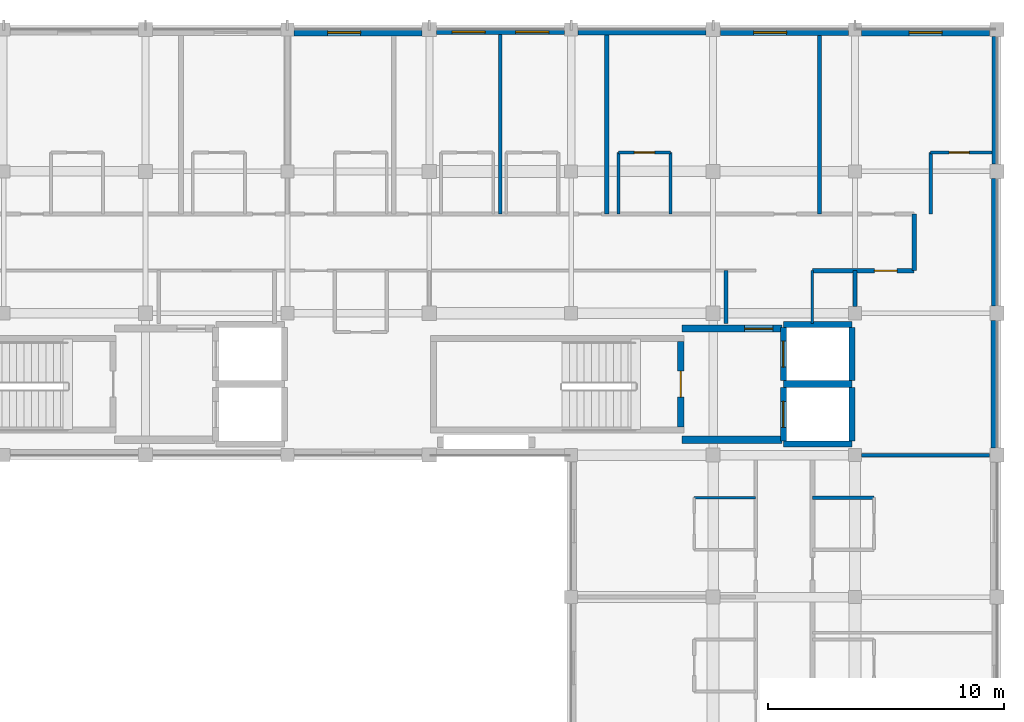
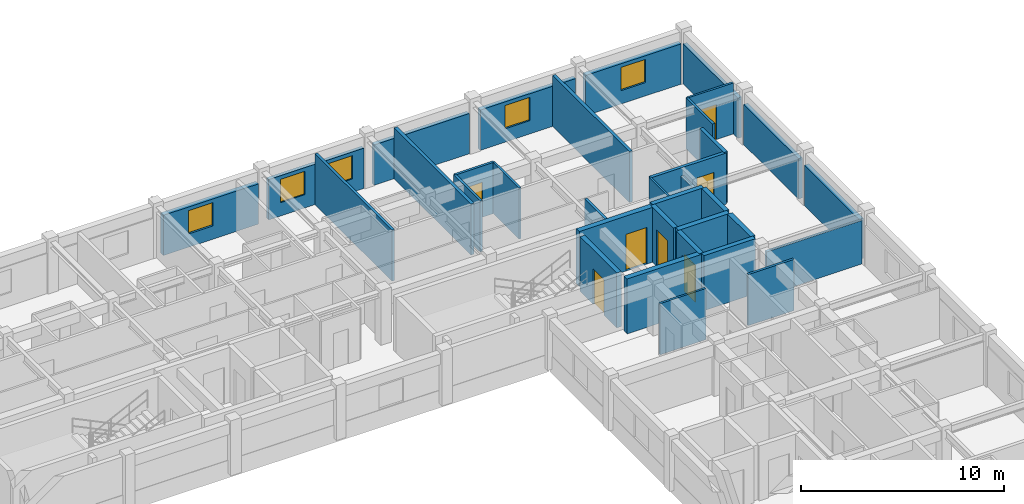
# One storey, part 15 of 21: 34 walls, 7 doors, 5 windows, 12 openings.
"""IFC4 building model written with IfcOpenShell, lengths in metres."""

from ifc_helpers import new_model, si_unit, direction, frame, frame_2d, origin, place, context, subcontext, project, spatial, rectangle, extrude, material, layer, layer_set, type_object, element, fill, save


model = new_model("IFC4")

# Units and contexts
model_context = context("Model", 3, precision=1e-05, world=origin(), true_north=direction((0.0, 1.0)))
body_context = subcontext(model_context, "Body", "Model", "MODEL_VIEW")
ifc_project = project(units=[si_unit("LENGTHUNIT", "METRE"), si_unit("AREAUNIT", "SQUARE_METRE"), si_unit("VOLUMEUNIT", "CUBIC_METRE"), si_unit("PLANEANGLEUNIT", "RADIAN"), si_unit("MASSUNIT", "GRAM", prefix="KILO"), si_unit("THERMODYNAMICTEMPERATUREUNIT", "KELVIN"), si_unit("POWERUNIT", "WATT")], contexts=[model_context])

# Site, building, storey
site_placement = place(None, origin())
site = spatial("IfcSite", under=ifc_project, at=site_placement, CompositionType="ELEMENT")
building_placement = place(site_placement, origin())
building = spatial("IfcBuilding", under=site, at=building_placement, Name="Phaisarnlok Congress Hotel", CompositionType="ELEMENT")
storey_placement = place(building_placement, frame((0.0, 0.0, 34.800048828125)))
storey = spatial("IfcBuildingStorey", under=building, at=storey_placement, Name="L08", CompositionType="ELEMENT", Elevation=34.800048828125)

# Wall
ifc_material_1 = material(Name="Concrete C40/50", Category="concrete")
ifc_layer_1 = layer(ifc_material_1, 0.2099609375, Name="Concrete C40/50")
ifc_layer_set_1 = layer_set([ifc_layer_1], Name="Concrete C40/50")
wall_type_1 = type_object("IfcWallType", Name="WL-EXT-210", PredefinedType="SOLIDWALL", material=ifc_layer_set_1)
wall_1_placement = place(storey_placement, frame((179.89501953125, 120.304931640625, 0.0), z_axis=(0.0, 0.0, 1.0), x_axis=(0.0, 1.0, 0.0)))
element("IfcWall", 1, at=wall_1_placement, inside=storey, type_object=wall_type_1, Name="Exterior wall EW-07 (L08)", PredefinedType="SOLIDWALL", context=body_context, shape_type="SweptSolid", body=[
    extrude(rectangle(XDim=5.39013671875, YDim=0.2099609375, at=frame_2d((2.695068359375, 0.0))), origin(), (0.0, 0.0, 1.0), 2.419921875),
])

# Wall, openings, windows
wall_2_placement = place(storey_placement, frame((161.719970703125, 125.89501953125, 0.0), z_axis=(0.0, 0.0, 1.0), x_axis=(-1.0, 0.0, 0.0)))
wall_2 = element("IfcWall", 2, at=wall_2_placement, inside=storey, type_object=wall_type_1, Name="Exterior wall EW-07 (L08)", PredefinedType="SOLIDWALL", context=body_context, shape_type="SweptSolid", body=[
    extrude(rectangle(XDim=5.4150390625, YDim=0.2099609375, at=frame_2d((2.70751953125, 0.0))), origin(), (0.0, 0.0, 1.0), 2.419921875),
])
opening_1_placement = place(wall_2_placement, frame((3.35693359375, 0.0, 0.800048828125)))
opening_1 = element("IfcOpeningElement", 3, at=opening_1_placement, cuts=wall_2, Name="Opening W-13", PredefinedType="OPENING", context=body_context, shape_type="SweptSolid", body=[
    extrude(rectangle(XDim=1.39990234375, YDim=1.39990234375, at=frame_2d((0.699951171875, 0.699951171875))), frame((0.0, 0.114990234375, 0.0), z_axis=(0.0, -1.0, 0.0), x_axis=(1.0, 0.0, 0.0)), (0.0, 0.0, 1.0), 0.22998046875),
])
opening_2_placement = place(wall_2_placement, frame((0.669921875, 0.0, 0.800048828125)))
opening_2 = element("IfcOpeningElement", 4, at=opening_2_placement, cuts=wall_2, Name="Opening W-13", PredefinedType="OPENING", context=body_context, shape_type="SweptSolid", body=[
    extrude(rectangle(XDim=1.39990234375, YDim=1.39990234375, at=frame_2d((0.699951171875, 0.699951171875))), frame((0.0, 0.114990234375, 0.0), z_axis=(0.0, -1.0, 0.0), x_axis=(1.0, 0.0, 0.0)), (0.0, 0.0, 1.0), 0.22998046875),
])
ifc_material_2 = material(Name="Thermally Broken Aluminium & Low-E Double Glazing", Category="aluminium")
window_type = type_object("IfcWindowType", Name="WIN-POD-1400", PartitioningType="SINGLE_PANEL", PredefinedType="WINDOW", material=ifc_material_2)
window_1_placement = place(opening_1_placement, origin())
window_1 = element("IfcWindow", 5, at=window_1_placement, inside=storey, type_object=window_type, Name="Guestroom window W-13 (L08)", OverallHeight=1.39990234375, OverallWidth=1.39990234375, PartitioningType="SINGLE_PANEL", PredefinedType="WINDOW", context=body_context, shape_type="SweptSolid", body=[
    extrude(rectangle(XDim=1.39990234375, YDim=1.39990234375, at=frame_2d((0.699951171875, 0.699951171875))), frame((0.0, 0.030029296875, 0.0), z_axis=(0.0, -1.0, 0.0), x_axis=(1.0, 0.0, 0.0)), (0.0, 0.0, 1.0), 0.06005859375),
])
fill(opening_1, window_1)
window_2_placement = place(opening_2_placement, origin())
window_2 = element("IfcWindow", 6, at=window_2_placement, inside=storey, type_object=window_type, Name="Guestroom window W-13 (L08)", OverallHeight=1.39990234375, OverallWidth=1.39990234375, PartitioningType="SINGLE_PANEL", PredefinedType="WINDOW", context=body_context, shape_type="SweptSolid", body=[
    extrude(rectangle(XDim=1.39990234375, YDim=1.39990234375, at=frame_2d((0.699951171875, 0.699951171875))), frame((0.0, 0.030029296875, 0.0), z_axis=(0.0, -1.0, 0.0), x_axis=(1.0, 0.0, 0.0)), (0.0, 0.0, 1.0), 0.06005859375),
])
fill(opening_2, window_2)

# Walls
ifc_layer_2 = layer(ifc_material_1, 0.22998046875, Name="Concrete C40/50")
ifc_layer_set_2 = layer_set([ifc_layer_2], Name="Concrete C40/50")
wall_type_2 = type_object("IfcWallType", Name="WL-EXT-230", PredefinedType="SOLIDWALL", material=ifc_layer_set_2)
wall_3_placement = place(storey_placement, frame((179.885009765625, 114.304931640625, 0.0), z_axis=(0.0, 0.0, 1.0), x_axis=(0.0, 1.0, 0.0)))
element("IfcWall", 7, at=wall_3_placement, inside=storey, type_object=wall_type_2, Name="Exterior wall EW-06 (L08)", PredefinedType="SOLIDWALL", context=body_context, shape_type="SweptSolid", body=[
    extrude(rectangle(XDim=5.39013671875, YDim=0.22998046875, at=frame_2d((2.695068359375, 0.0))), origin(), (0.0, 0.0, 1.0), 2.419921875),
])
wall_4_placement = place(storey_placement, frame((167.695068359375, 125.885009765625, 0.0), z_axis=(0.0, 0.0, 1.0), x_axis=(-1.0, 0.0, 0.0)))
element("IfcWall", 8, at=wall_4_placement, inside=storey, type_object=wall_type_2, Name="Exterior wall EW-06 (L08)", PredefinedType="SOLIDWALL", context=body_context, shape_type="SweptSolid", body=[
    extrude(rectangle(XDim=5.4150390625, YDim=0.22998046875, at=frame_2d((2.70751953125, 0.0))), origin(), (0.0, 0.0, 1.0), 2.419921875),
])
ifc_layer_3 = layer(ifc_material_1, 0.25, Name="Concrete C40/50")
ifc_layer_set_3 = layer_set([ifc_layer_3], Name="Concrete C40/50")
wall_type_3 = type_object("IfcWallType", Name="WL-EXT-250", PredefinedType="SOLIDWALL", material=ifc_layer_set_3)
wall_5_placement = place(storey_placement, frame((179.875, 108.304931640625, 0.0), z_axis=(0.0, 0.0, 1.0), x_axis=(0.0, 1.0, 0.0)))
element("IfcWall", 9, at=wall_5_placement, inside=storey, type_object=wall_type_3, Name="Exterior wall EW-05 (L08)", PredefinedType="SOLIDWALL", context=body_context, shape_type="SweptSolid", body=[
    extrude(rectangle(XDim=5.39013671875, YDim=0.25, at=frame_2d((2.695068359375, 0.0))), origin(), (0.0, 0.0, 1.0), 2.419921875),
])

# Wall, opening, window
wall_6_placement = place(storey_placement, frame((173.719970703125, 125.875, 0.0), z_axis=(0.0, 0.0, 1.0), x_axis=(-1.0, 0.0, 0.0)))
wall_6 = element("IfcWall", 10, at=wall_6_placement, inside=storey, type_object=wall_type_3, Name="Exterior wall EW-05 (L08)", PredefinedType="SOLIDWALL", context=body_context, shape_type="SweptSolid", body=[
    extrude(rectangle(XDim=5.4150390625, YDim=0.25, at=frame_2d((2.70751953125, 0.0))), origin(), (0.0, 0.0, 1.0), 2.419921875),
])
opening_3_placement = place(wall_6_placement, frame((2.60693359375, 0.0, 0.800048828125)))
opening_3 = element("IfcOpeningElement", 11, at=opening_3_placement, cuts=wall_6, Name="Opening W-13", PredefinedType="OPENING", context=body_context, shape_type="SweptSolid", body=[
    extrude(rectangle(XDim=1.39990234375, YDim=1.39990234375, at=frame_2d((0.699951171875, 0.699951171875))), frame((0.0, 0.135009765625, 0.0), z_axis=(0.0, -1.0, 0.0), x_axis=(1.0, 0.0, 0.0)), (0.0, 0.0, 1.0), 0.27001953125),
])
window_3_placement = place(opening_3_placement, origin())
window_3 = element("IfcWindow", 12, at=window_3_placement, inside=storey, type_object=window_type, Name="Guestroom window W-13 (L08)", OverallHeight=1.39990234375, OverallWidth=1.39990234375, PartitioningType="SINGLE_PANEL", PredefinedType="WINDOW", context=body_context, shape_type="SweptSolid", body=[
    extrude(rectangle(XDim=1.39990234375, YDim=1.39990234375, at=frame_2d((0.699951171875, 0.699951171875))), frame((0.0, 0.030029296875, 0.0), z_axis=(0.0, -1.0, 0.0), x_axis=(1.0, 0.0, 0.0)), (0.0, 0.0, 1.0), 0.06005859375),
])
fill(opening_3, window_3)

ifc_layer_4 = layer(ifc_material_1, 0.27001953125, Name="Concrete C40/50")
ifc_layer_set_4 = layer_set([ifc_layer_4], Name="Concrete C40/50")
wall_type_4 = type_object("IfcWallType", Name="WL-EXT-270", PredefinedType="SOLIDWALL", material=ifc_layer_set_4)
wall_7_placement = place(storey_placement, frame((179.695068359375, 125.864990234375, 0.0), z_axis=(0.0, 0.0, 1.0), x_axis=(-1.0, 0.0, 0.0)))
wall_7 = element("IfcWall", 13, at=wall_7_placement, inside=storey, type_object=wall_type_4, Name="Exterior wall EW-04 (L08)", PredefinedType="SOLIDWALL", context=body_context, shape_type="SweptSolid", body=[
    extrude(rectangle(XDim=5.4150390625, YDim=0.27001953125, at=frame_2d((2.70751953125, 0.0))), origin(), (0.0, 0.0, 1.0), 2.419921875),
])
opening_4_placement = place(wall_7_placement, frame((2.007080078125, 0.0, 0.800048828125)))
opening_4 = element("IfcOpeningElement", 14, at=opening_4_placement, cuts=wall_7, Name="Opening W-13", PredefinedType="OPENING", context=body_context, shape_type="SweptSolid", body=[
    extrude(rectangle(XDim=1.39990234375, YDim=1.39990234375, at=frame_2d((0.699951171875, 0.699951171875))), frame((0.0, 0.14501953125, 0.0), z_axis=(0.0, -1.0, 0.0), x_axis=(1.0, 0.0, 0.0)), (0.0, 0.0, 1.0), 0.2900390625),
])
window_4_placement = place(opening_4_placement, origin())
window_4 = element("IfcWindow", 15, at=window_4_placement, inside=storey, type_object=window_type, Name="Guestroom window W-13 (L08)", OverallHeight=1.39990234375, OverallWidth=1.39990234375, PartitioningType="SINGLE_PANEL", PredefinedType="WINDOW", context=body_context, shape_type="SweptSolid", body=[
    extrude(rectangle(XDim=1.39990234375, YDim=1.39990234375, at=frame_2d((0.699951171875, 0.699951171875))), frame((0.0, 0.030029296875, 0.0), z_axis=(0.0, -1.0, 0.0), x_axis=(1.0, 0.0, 0.0)), (0.0, 0.0, 1.0), 0.06005859375),
])
fill(opening_4, window_4)

wall_8_placement = place(storey_placement, frame((155.695068359375, 125.864990234375, 0.0), z_axis=(0.0, 0.0, 1.0), x_axis=(-1.0, 0.0, 0.0)))
wall_8 = element("IfcWall", 16, at=wall_8_placement, inside=storey, type_object=wall_type_4, Name="Exterior wall EW-04 (L08)", PredefinedType="SOLIDWALL", context=body_context, shape_type="SweptSolid", body=[
    extrude(rectangle(XDim=5.4150390625, YDim=0.27001953125, at=frame_2d((2.70751953125, 0.0))), origin(), (0.0, 0.0, 1.0), 2.419921875),
])
opening_5_placement = place(wall_8_placement, frame((2.594970703125, 0.0, 0.800048828125)))
opening_5 = element("IfcOpeningElement", 17, at=opening_5_placement, cuts=wall_8, Name="Opening W-13", PredefinedType="OPENING", context=body_context, shape_type="SweptSolid", body=[
    extrude(rectangle(XDim=1.39990234375, YDim=1.39990234375, at=frame_2d((0.699951171875, 0.699951171875))), frame((0.0, 0.14501953125, 0.0), z_axis=(0.0, -1.0, 0.0), x_axis=(1.0, 0.0, 0.0)), (0.0, 0.0, 1.0), 0.2900390625),
])
window_5_placement = place(opening_5_placement, origin())
window_5 = element("IfcWindow", 18, at=window_5_placement, inside=storey, type_object=window_type, Name="Guestroom window W-13 (L08)", OverallHeight=1.39990234375, OverallWidth=1.39990234375, PartitioningType="SINGLE_PANEL", PredefinedType="WINDOW", context=body_context, shape_type="SweptSolid", body=[
    extrude(rectangle(XDim=1.39990234375, YDim=1.39990234375, at=frame_2d((0.699951171875, 0.699951171875))), frame((0.0, 0.030029296875, 0.0), z_axis=(0.0, -1.0, 0.0), x_axis=(1.0, 0.0, 0.0)), (0.0, 0.0, 1.0), 0.06005859375),
])
fill(opening_5, window_5)

# Walls
ifc_material_3 = material(Name="Service Riser Shaftwall Partition", Category="gypsum")
ifc_layer_5 = layer(ifc_material_3, 0.10498046875, Name="Service Riser Shaftwall Partition")
ifc_layer_set_5 = layer_set([ifc_layer_5], Name="Service Riser Shaftwall Partition")
wall_type_5 = type_object("IfcWallType", Name="WL-INT-105", PredefinedType="PARTITIONING", material=ifc_layer_set_5)
wall_9_placement = place(storey_placement, frame((172.199951171875, 113.56005859375, 0.0), z_axis=(0.0, 0.0, 1.0), x_axis=(0.0, 1.0, 0.0)))
element("IfcWall", 19, at=wall_9_placement, inside=storey, type_object=wall_type_5, Name="Interior partition wall IW-08 (L08)", PredefinedType="PARTITIONING", context=body_context, shape_type="SweptSolid", body=[
    extrude(rectangle(XDim=2.239990234375, YDim=0.10498046875, at=frame_2d((1.1201171875, 0.0))), origin(), (0.0, 0.0, 1.0), 3.070068359375),
])
ifc_material_4 = material(Name="Lightweight Metal-Stud Gypsum Partition", Category="gypsum")
ifc_layer_6 = layer(ifc_material_4, 0.1201171875, Name="Lightweight Metal-Stud Gypsum Partition")
ifc_layer_set_6 = layer_set([ifc_layer_6], Name="Lightweight Metal-Stud Gypsum Partition")
wall_type_6 = type_object("IfcWallType", Name="WL-INT-120", PredefinedType="PARTITIONING", material=ifc_layer_set_6)
for number, where, z_axis, x_axis, name in (
    (20, (166.199951171875, 118.199951171875, 0.0), (0.0, 0.0, 1.0), (0.0, 1.0, 0.0), "Interior partition wall IW-07 (L08)"),
    (21, (167.199951171875, 106.199951171875, 0.0), (0.0, 0.0, 1.0), (1.0, 0.0, 0.0), "Interior partition wall IW-07 (L08)"),
):
    element("IfcWall", number, at=place(storey_placement, frame(where, z_axis=z_axis, x_axis=x_axis)), inside=storey, type_object=wall_type_6, Name=name, PredefinedType="PARTITIONING", context=body_context, shape_type="SweptSolid", body=[
        extrude(rectangle(XDim=2.60009765625, YDim=0.1201171875, at=frame_2d((1.300048828125, 0.0))), origin(), (0.0, 0.0, 1.0), 3.070068359375),
    ])

# Wall, opening, door
wall_10_placement = place(storey_placement, frame((177.199951171875, 120.800048828125, 0.0), z_axis=(0.0, 0.0, 1.0), x_axis=(1.0, 0.0, 0.0)))
wall_10 = element("IfcWall", 22, at=wall_10_placement, inside=storey, type_object=wall_type_6, Name="Interior partition wall IW-07 (L08)", PredefinedType="PARTITIONING", context=body_context, shape_type="SweptSolid", body=[
    extrude(rectangle(XDim=2.5849609375, YDim=0.1201171875, at=frame_2d((1.29248046875, 0.0))), origin(), (0.0, 0.0, 1.0), 3.070068359375),
])
opening_6_placement = place(wall_10_placement, frame((0.77490234375, 0.0, 0.0)))
opening_6 = element("IfcOpeningElement", 23, at=opening_6_placement, cuts=wall_10, Name="Opening D-0441", PredefinedType="OPENING", context=body_context, shape_type="SweptSolid", body=[
    extrude(rectangle(XDim=0.85009765625, YDim=2.10009765625, at=frame_2d((0.425048828125, 1.050048828125))), frame((0.0, 0.070068359375, 0.0), z_axis=(0.0, -1.0, 0.0), x_axis=(1.0, 0.0, 0.0)), (0.0, 0.0, 1.0), 0.14013671875),
])
ifc_material_5 = material(Name="Moisture-Resistant Lacquered Timber", Category="wood")
door_type_1 = type_object("IfcDoorType", Name="DR-BATH-850", OperationType="NOTDEFINED", PredefinedType="DOOR", material=ifc_material_5)
door_1_placement = place(opening_6_placement, origin())
door_1 = element("IfcDoor", 24, at=door_1_placement, inside=storey, type_object=door_type_1, Name="Interior door D-0441 (L08)", OperationType="SINGLE_SWING_RIGHT", OverallHeight=2.10009765625, OverallWidth=0.85009765625, PredefinedType="DOOR", context=body_context, shape_type="SweptSolid", body=[
    extrude(rectangle(XDim=0.85009765625, YDim=2.10009765625, at=frame_2d((0.425048828125, 1.050048828125))), frame((0.0, 0.02490234375, 0.0), z_axis=(0.0, -1.0, 0.0), x_axis=(1.0, 0.0, 0.0)), (0.0, 0.0, 1.0), 0.050048828125),
])
fill(opening_6, door_1)

# Walls
ifc_material_6 = material(Name="Moisture-Resistant Gypsum Partition", Category="gypsum")
ifc_layer_7 = layer(ifc_material_6, 0.135009765625, Name="Moisture-Resistant Gypsum Partition")
ifc_layer_set_7 = layer_set([ifc_layer_7], Name="Moisture-Resistant Gypsum Partition")
wall_type_7 = type_object("IfcWallType", Name="WL-INT-135", PredefinedType="PARTITIONING", material=ifc_layer_set_7)
for number, where, z_axis, x_axis, name in (
    (25, (164.0, 118.199951171875, 0.0), (0.0, 0.0, 1.0), (0.0, 1.0, 0.0), "Interior partition wall IW-06 (L08)"),
    (26, (177.199951171875, 118.199951171875, 0.0), (0.0, 0.0, 1.0), (0.0, 1.0, 0.0), "Interior partition wall IW-06 (L08)"),
    (27, (172.199951171875, 106.199951171875, 0.0), (0.0, 0.0, 1.0), (1.0, 0.0, 0.0), "Interior partition wall IW-06 (L08)"),
):
    element("IfcWall", number, at=place(storey_placement, frame(where, z_axis=z_axis, x_axis=x_axis)), inside=storey, type_object=wall_type_7, Name=name, PredefinedType="PARTITIONING", context=body_context, shape_type="SweptSolid", body=[
        extrude(rectangle(XDim=2.60009765625, YDim=0.135009765625, at=frame_2d((1.300048828125, 0.0))), origin(), (0.0, 0.0, 1.0), 3.070068359375),
    ])

# Wall, opening, door
wall_11_placement = place(storey_placement, frame((164.0, 120.800048828125, 0.0), z_axis=(0.0, 0.0, 1.0), x_axis=(1.0, 0.0, 0.0)))
wall_11 = element("IfcWall", 28, at=wall_11_placement, inside=storey, type_object=wall_type_7, Name="Interior partition wall IW-06 (L08)", PredefinedType="PARTITIONING", context=body_context, shape_type="SweptSolid", body=[
    extrude(rectangle(XDim=2.199951171875, YDim=0.135009765625, at=frame_2d((1.10009765625, 0.0))), origin(), (0.0, 0.0, 1.0), 3.070068359375),
])
opening_7_placement = place(wall_11_placement, frame((0.675048828125, 0.0, 0.0)))
opening_7 = element("IfcOpeningElement", 29, at=opening_7_placement, cuts=wall_11, Name="Opening D-0439", PredefinedType="OPENING", context=body_context, shape_type="SweptSolid", body=[
    extrude(rectangle(XDim=0.85009765625, YDim=2.10009765625, at=frame_2d((0.425048828125, 1.050048828125))), frame((0.0, 0.07763671875, 0.0), z_axis=(0.0, -1.0, 0.0), x_axis=(1.0, 0.0, 0.0)), (0.0, 0.0, 1.0), 0.155029296875),
])
door_2_placement = place(opening_7_placement, origin())
door_2 = element("IfcDoor", 30, at=door_2_placement, inside=storey, type_object=door_type_1, Name="Interior door D-0439 (L08)", OperationType="SINGLE_SWING_RIGHT", OverallHeight=2.10009765625, OverallWidth=0.85009765625, PredefinedType="DOOR", context=body_context, shape_type="SweptSolid", body=[
    extrude(rectangle(XDim=0.85009765625, YDim=2.10009765625, at=frame_2d((0.425048828125, 1.050048828125))), frame((0.0, 0.02490234375, 0.0), z_axis=(0.0, -1.0, 0.0), x_axis=(1.0, 0.0, 0.0)), (0.0, 0.0, 1.0), 0.050048828125),
])
fill(opening_7, door_2)

# Walls
ifc_material_7 = material(Name="Acoustic Gypsum Board & Mineral Wool", Category="gypsum")
ifc_layer_8 = layer(ifc_material_7, 0.14990234375, Name="Acoustic Gypsum Board & Mineral Wool")
ifc_layer_set_8 = layer_set([ifc_layer_8], Name="Acoustic Gypsum Board & Mineral Wool")
wall_type_8 = type_object("IfcWallType", Name="WL-INT-150", PredefinedType="PARTITIONING", material=ifc_layer_set_8)
wall_12_placement = place(storey_placement, frame((159.0, 118.199951171875, 0.0), z_axis=(0.0, 0.0, 1.0), x_axis=(0.0, 1.0, 0.0)))
element("IfcWall", 31, at=wall_12_placement, inside=storey, type_object=wall_type_8, Name="Interior partition wall IW-05 (L08)", PredefinedType="PARTITIONING", context=body_context, shape_type="SweptSolid", body=[
    extrude(rectangle(XDim=7.5849609375, YDim=0.14990234375, at=frame_2d((3.79248046875, 0.0))), origin(), (0.0, 0.0, 1.0), 3.070068359375),
])
ifc_material_8 = material(Name="Double-Stud Acoustic Gypsum Partition", Category="gypsum")
ifc_layer_9 = layer(ifc_material_8, 0.159912109375, Name="Double-Stud Acoustic Gypsum Partition")
ifc_layer_set_9 = layer_set([ifc_layer_9], Name="Double-Stud Acoustic Gypsum Partition")
wall_type_9 = type_object("IfcWallType", Name="WL-INT-160", PredefinedType="PARTITIONING", material=ifc_layer_set_9)
wall_13_placement = place(storey_placement, frame((168.550048828125, 113.56005859375, 0.0), z_axis=(0.0, 0.0, 1.0), x_axis=(0.0, 1.0, 0.0)))
element("IfcWall", 32, at=wall_13_placement, inside=storey, type_object=wall_type_9, Name="Interior partition wall IW-04 (L08)", PredefinedType="PARTITIONING", context=body_context, shape_type="SweptSolid", body=[
    extrude(rectangle(XDim=2.239990234375, YDim=0.159912109375, at=frame_2d((1.1201171875, 0.0))), origin(), (0.0, 0.0, 1.0), 3.070068359375),
])
wall_14_placement = place(storey_placement, frame((174.0, 114.280029296875, 0.0), z_axis=(0.0, 0.0, 1.0), x_axis=(0.0, 1.0, 0.0)))
element("IfcWall", 33, at=wall_14_placement, inside=storey, type_object=wall_type_9, Name="Interior partition wall IW-04 (L08)", PredefinedType="PARTITIONING", context=body_context, shape_type="SweptSolid", body=[
    extrude(rectangle(XDim=1.52001953125, YDim=0.159912109375, at=frame_2d((0.760009765625, 0.0))), origin(), (0.0, 0.0, 1.0), 2.570068359375),
])
wall_15_placement = place(storey_placement, frame((174.280029296875, 108.0, 0.0), z_axis=(0.0, 0.0, 1.0), x_axis=(1.0, 0.0, 0.0)))
element("IfcWall", 34, at=wall_15_placement, inside=storey, type_object=wall_type_9, Name="Interior partition wall IW-04 (L08)", PredefinedType="PARTITIONING", context=body_context, shape_type="SweptSolid", body=[
    extrude(rectangle(XDim=5.4150390625, YDim=0.159912109375, at=frame_2d((2.70751953125, 0.0))), origin(), (0.0, 0.0, 1.0), 2.619873046875),
])
ifc_material_9 = material(Name="Autoclaved Aerated Concrete Block", Category="concrete")
ifc_layer_10 = layer(ifc_material_9, 0.179931640625, Name="Autoclaved Aerated Concrete Block")
ifc_layer_set_10 = layer_set([ifc_layer_10], Name="Autoclaved Aerated Concrete Block")
wall_type_10 = type_object("IfcWallType", Name="WL-INT-180", PredefinedType="PARTITIONING", material=ifc_layer_set_10)
wall_16_placement = place(storey_placement, frame((163.5, 118.199951171875, 0.0), z_axis=(0.0, 0.0, 1.0), x_axis=(0.0, 1.0, 0.0)))
element("IfcWall", 35, at=wall_16_placement, inside=storey, type_object=wall_type_10, Name="Interior partition wall IW-03 (L08)", PredefinedType="PARTITIONING", context=body_context, shape_type="SweptSolid", body=[
    extrude(rectangle(XDim=7.56494140625, YDim=0.179931640625, at=frame_2d((3.782470703125, 0.0))), origin(), (0.0, 0.0, 1.0), 3.070068359375),
])
wall_17_placement = place(storey_placement, frame((172.5, 118.199951171875, 0.0), z_axis=(0.0, 0.0, 1.0), x_axis=(0.0, 1.0, 0.0)))
element("IfcWall", 36, at=wall_17_placement, inside=storey, type_object=wall_type_10, Name="Interior partition wall IW-03 (L08)", PredefinedType="PARTITIONING", context=body_context, shape_type="SweptSolid", body=[
    extrude(rectangle(XDim=7.545166015625, YDim=0.179931640625, at=frame_2d((3.7724609375, 0.0))), origin(), (0.0, 0.0, 1.0), 3.070068359375),
])

# Wall, opening, door
wall_18_placement = place(storey_placement, frame((172.199951171875, 115.800048828125, 0.0), z_axis=(0.0, 0.0, 1.0), x_axis=(1.0, 0.0, 0.0)))
wall_18 = element("IfcWall", 37, at=wall_18_placement, inside=storey, type_object=wall_type_10, Name="Interior partition wall IW-03 (L08)", PredefinedType="PARTITIONING", context=body_context, shape_type="SweptSolid", body=[
    extrude(rectangle(XDim=4.300048828125, YDim=0.179931640625, at=frame_2d((2.14990234375, 0.0))), origin(), (0.0, 0.0, 1.0), 3.070068359375),
])
opening_8_placement = place(wall_18_placement, frame((2.6201171875, 0.0, 0.0)))
opening_8 = element("IfcOpeningElement", 38, at=opening_8_placement, cuts=wall_18, Name="Opening D-0469", PredefinedType="OPENING", context=body_context, shape_type="SweptSolid", body=[
    extrude(rectangle(XDim=0.9599609375, YDim=2.14990234375, at=frame_2d((0.47998046875, 1.074951171875))), frame((0.0, 0.10009765625, 0.0), z_axis=(0.0, -1.0, 0.0), x_axis=(1.0, 0.0, 0.0)), (0.0, 0.0, 1.0), 0.199951171875),
])
ifc_material_10 = material(Name="Fire-Rated Steel Frame & Timber Leaf", Category="steel")
door_type_2 = type_object("IfcDoorType", Name="DR-FD60-950", OperationType="NOTDEFINED", PredefinedType="DOOR", material=ifc_material_10)
door_3_placement = place(opening_8_placement, origin())
door_3 = element("IfcDoor", 39, at=door_3_placement, inside=storey, type_object=door_type_2, Name="Interior door D-0469 (L08)", OperationType="SINGLE_SWING_RIGHT", OverallHeight=2.14990234375, OverallWidth=0.9599609375, PredefinedType="DOOR", context=body_context, shape_type="SweptSolid", body=[
    extrude(rectangle(XDim=0.9599609375, YDim=2.14990234375, at=frame_2d((0.47998046875, 1.074951171875))), frame((0.0, 0.02490234375, 0.0), z_axis=(0.0, -1.0, 0.0), x_axis=(1.0, 0.0, 0.0)), (0.0, 0.0, 1.0), 0.050048828125),
])
fill(opening_8, door_3)

# Wall
ifc_layer_11 = layer(ifc_material_9, 0.199951171875, Name="Autoclaved Aerated Concrete Block")
ifc_layer_set_11 = layer_set([ifc_layer_11], Name="Autoclaved Aerated Concrete Block")
wall_type_11 = type_object("IfcWallType", Name="WL-INT-200", PredefinedType="PARTITIONING", material=ifc_layer_set_11)
wall_19_placement = place(storey_placement, frame((176.5, 115.800048828125, 0.0), z_axis=(0.0, 0.0, 1.0), x_axis=(0.0, 1.0, 0.0)))
element("IfcWall", 40, at=wall_19_placement, inside=storey, type_object=wall_type_11, Name="Interior partition wall IW-02 (L08)", PredefinedType="PARTITIONING", context=body_context, shape_type="SweptSolid", body=[
    extrude(rectangle(XDim=2.39990234375, YDim=0.199951171875, at=frame_2d((1.199951171875, 0.0))), origin(), (0.0, 0.0, 1.0), 3.070068359375),
])

# Wall, opening, door
ifc_material_11 = material(Name="Concrete C50/60", Category="concrete")
ifc_layer_12 = layer(ifc_material_11, 0.260009765625, Name="Concrete C50/60")
ifc_layer_set_12 = layer_set([ifc_layer_12], Name="Concrete C50/60")
wall_type_12 = type_object("IfcWallType", Name="WL-SHR-260", PredefinedType="SHEAR", material=ifc_layer_set_12)
wall_20_placement = place(storey_placement, frame((166.6298828125, 109.199951171875, 0.0), z_axis=(0.0, 0.0, 1.0), x_axis=(0.0, 1.0, 0.0)))
wall_20 = element("IfcWall", 41, at=wall_20_placement, inside=storey, type_object=wall_type_12, Name="Stair shaft shear wall SW-04 (CORE-1 L08)", PredefinedType="SHEAR", context=body_context, shape_type="SweptSolid", body=[
    extrude(rectangle(XDim=3.60009765625, YDim=0.260009765625, at=frame_2d((1.800048828125, 0.0))), origin(), (0.0, 0.0, 1.0), 3.300048828125),
])
opening_9_placement = place(wall_20_placement, frame((1.25, 0.0, 0.0)))
opening_9 = element("IfcOpeningElement", 42, at=opening_9_placement, cuts=wall_20, Name="Opening FD-010", PredefinedType="OPENING", context=body_context, shape_type="SweptSolid", body=[
    extrude(rectangle(XDim=1.10009765625, YDim=2.14990234375, at=frame_2d((0.550048828125, 1.074951171875))), frame((0.0, 0.14013671875, 0.0), z_axis=(0.0, -1.0, 0.0), x_axis=(1.0, 0.0, 0.0)), (0.0, 0.0, 1.0), 0.280029296875),
])
door_type_3 = type_object("IfcDoorType", Name="DR-FD60-1100", OperationType="NOTDEFINED", PredefinedType="DOOR", material=ifc_material_10)
door_4_placement = place(opening_9_placement, origin())
door_4 = element("IfcDoor", 43, at=door_4_placement, inside=storey, type_object=door_type_3, Name="Stair enclosure fire door FD-010 (L08)", OperationType="SINGLE_SWING_LEFT", OverallHeight=2.14990234375, OverallWidth=1.10009765625, PredefinedType="DOOR", context=body_context, shape_type="SweptSolid", body=[
    extrude(rectangle(XDim=1.10009765625, YDim=2.14990234375, at=frame_2d((0.550048828125, 1.074951171875))), frame((0.0, 0.02490234375, 0.0), z_axis=(0.0, -1.0, 0.0), x_axis=(1.0, 0.0, 0.0)), (0.0, 0.0, 1.0), 0.050048828125),
])
fill(opening_9, door_4)

# Walls
wall_21_placement = place(storey_placement, frame((170.969970703125, 108.469970703125, 0.0), z_axis=(0.0, 0.0, 1.0), x_axis=(1.0, 0.0, 0.0)))
element("IfcWall", 44, at=wall_21_placement, inside=storey, type_object=wall_type_12, Name="Lift shaft shear wall SW-04 (LF-FF1 L08)", PredefinedType="SHEAR", context=body_context, shape_type="SweptSolid", body=[
    extrude(rectangle(XDim=2.909912109375, YDim=0.260009765625, at=frame_2d((1.455078125, 0.0))), origin(), (0.0, 0.0, 1.0), 3.300048828125),
])
wall_22_placement = place(storey_placement, frame((173.8798828125, 108.60009765625, 0.0), z_axis=(0.0, 0.0, 1.0), x_axis=(0.0, 1.0, 0.0)))
element("IfcWall", 45, at=wall_22_placement, inside=storey, type_object=wall_type_12, Name="Lift shaft shear wall SW-04 (LF-FF1 L08)", PredefinedType="SHEAR", context=body_context, shape_type="SweptSolid", body=[
    extrude(rectangle(XDim=2.25, YDim=0.260009765625, at=frame_2d((1.125, 0.0))), origin(), (0.0, 0.0, 1.0), 3.300048828125),
])

# Wall, opening, door
wall_23_placement = place(storey_placement, frame((170.969970703125, 108.60009765625, 0.0), z_axis=(0.0, 0.0, 1.0), x_axis=(0.0, 1.0, 0.0)))
wall_23 = element("IfcWall", 46, at=wall_23_placement, inside=storey, type_object=wall_type_12, Name="Lift shaft front wall SW-04 (LF-FF1 L08)", PredefinedType="SHEAR", context=body_context, shape_type="SweptSolid", body=[
    extrude(rectangle(XDim=2.25, YDim=0.260009765625, at=frame_2d((1.125, 0.0))), origin(), (0.0, 0.0, 1.0), 3.300048828125),
])
opening_10_placement = place(wall_23_placement, frame((0.574951171875, 0.0, 0.0)))
opening_10 = element("IfcOpeningElement", 47, at=opening_10_placement, cuts=wall_23, Name="Opening LD-010", PredefinedType="OPENING", context=body_context, shape_type="SweptSolid", body=[
    extrude(rectangle(XDim=1.10009765625, YDim=2.199951171875, at=frame_2d((0.550048828125, 1.10009765625))), frame((0.0, 0.14013671875, 0.0), z_axis=(0.0, -1.0, 0.0), x_axis=(1.0, 0.0, 0.0)), (0.0, 0.0, 1.0), 0.280029296875),
])
ifc_material_12 = material(Name="Brushed Stainless Steel Grade 304", Category="steel")
door_type_4 = type_object("IfcDoorType", Name="DR-LD-1100", OperationType="DOUBLE_DOOR_SLIDING", PredefinedType="DOOR", material=ifc_material_12)
door_5_placement = place(opening_10_placement, origin())
door_5 = element("IfcDoor", 48, at=door_5_placement, inside=storey, type_object=door_type_4, Name="Lift landing sliding door LD-010 (LF-FF1 L08)", OperationType="DOUBLE_DOOR_SLIDING", OverallHeight=2.199951171875, OverallWidth=1.10009765625, PredefinedType="DOOR", context=body_context, shape_type="SweptSolid", body=[
    extrude(rectangle(XDim=1.10009765625, YDim=2.199951171875, at=frame_2d((0.550048828125, 1.10009765625))), frame((0.0, 0.02490234375, 0.0), z_axis=(0.0, -1.0, 0.0), x_axis=(1.0, 0.0, 0.0)), (0.0, 0.0, 1.0), 0.050048828125),
])
fill(opening_10, door_5)

# Walls
wall_24_placement = place(storey_placement, frame((170.969970703125, 113.530029296875, 0.0), z_axis=(0.0, 0.0, 1.0), x_axis=(1.0, 0.0, 0.0)))
element("IfcWall", 49, at=wall_24_placement, inside=storey, type_object=wall_type_12, Name="Lift shaft shear wall SW-04 (LF-HP1 L08)", PredefinedType="SHEAR", context=body_context, shape_type="SweptSolid", body=[
    extrude(rectangle(XDim=2.909912109375, YDim=0.260009765625, at=frame_2d((1.455078125, 0.0))), origin(), (0.0, 0.0, 1.0), 3.300048828125),
])
wall_25_placement = place(storey_placement, frame((173.8798828125, 111.14990234375, 0.0), z_axis=(0.0, 0.0, 1.0), x_axis=(0.0, 1.0, 0.0)))
element("IfcWall", 50, at=wall_25_placement, inside=storey, type_object=wall_type_12, Name="Lift shaft shear wall SW-04 (LF-HP1 L08)", PredefinedType="SHEAR", context=body_context, shape_type="SweptSolid", body=[
    extrude(rectangle(XDim=2.25, YDim=0.260009765625, at=frame_2d((1.125, 0.0))), origin(), (0.0, 0.0, 1.0), 3.300048828125),
])

# Wall, opening, door
wall_26_placement = place(storey_placement, frame((170.969970703125, 111.14990234375, 0.0), z_axis=(0.0, 0.0, 1.0), x_axis=(0.0, 1.0, 0.0)))
wall_26 = element("IfcWall", 51, at=wall_26_placement, inside=storey, type_object=wall_type_12, Name="Lift shaft front wall SW-04 (LF-HP1 L08)", PredefinedType="SHEAR", context=body_context, shape_type="SweptSolid", body=[
    extrude(rectangle(XDim=2.25, YDim=0.260009765625, at=frame_2d((1.125, 0.0))), origin(), (0.0, 0.0, 1.0), 3.300048828125),
])
opening_11_placement = place(wall_26_placement, frame((0.574951171875, 0.0, 0.0)))
opening_11 = element("IfcOpeningElement", 52, at=opening_11_placement, cuts=wall_26, Name="Opening LD-025", PredefinedType="OPENING", context=body_context, shape_type="SweptSolid", body=[
    extrude(rectangle(XDim=1.10009765625, YDim=2.199951171875, at=frame_2d((0.550048828125, 1.10009765625))), frame((0.0, 0.14013671875, 0.0), z_axis=(0.0, -1.0, 0.0), x_axis=(1.0, 0.0, 0.0)), (0.0, 0.0, 1.0), 0.280029296875),
])
door_6_placement = place(opening_11_placement, origin())
door_6 = element("IfcDoor", 53, at=door_6_placement, inside=storey, type_object=door_type_4, Name="Lift landing sliding door LD-025 (LF-HP1 L08)", OperationType="DOUBLE_DOOR_SLIDING", OverallHeight=2.199951171875, OverallWidth=1.10009765625, PredefinedType="DOOR", context=body_context, shape_type="SweptSolid", body=[
    extrude(rectangle(XDim=1.10009765625, YDim=2.199951171875, at=frame_2d((0.550048828125, 1.10009765625))), frame((0.0, 0.02490234375, 0.0), z_axis=(0.0, -1.0, 0.0), x_axis=(1.0, 0.0, 0.0)), (0.0, 0.0, 1.0), 0.050048828125),
])
fill(opening_11, door_6)

# Wall
ifc_layer_13 = layer(ifc_material_11, 0.300048828125, Name="Concrete C50/60")
ifc_layer_set_13 = layer_set([ifc_layer_13], Name="Concrete C50/60")
wall_type_13 = type_object("IfcWallType", Name="WL-SHR-300", PredefinedType="SHEAR", material=ifc_layer_set_13)
wall_27_placement = place(storey_placement, frame((170.969970703125, 111.0, 0.0), z_axis=(0.0, 0.0, 1.0), x_axis=(1.0, 0.0, 0.0)))
element("IfcWall", 54, at=wall_27_placement, inside=storey, type_object=wall_type_13, Name="Lift shaft divider shear wall SW-03 (LF-FF1 L08)", PredefinedType="SHEAR", context=body_context, shape_type="SweptSolid", body=[
    extrude(rectangle(XDim=2.909912109375, YDim=0.300048828125, at=frame_2d((1.455078125, 0.0))), origin(), (0.0, 0.0, 1.0), 3.300048828125),
])

# Wall, opening, door
wall_28_placement = place(storey_placement, frame((166.679931640625, 113.35009765625, 0.0), z_axis=(0.0, 0.0, 1.0), x_axis=(1.0, 0.0, 0.0)))
wall_28 = element("IfcWall", 55, at=wall_28_placement, inside=storey, type_object=wall_type_13, Name="Core lobby EI-120 wall SW-03 (CORE-1 L08)", PredefinedType="SHEAR", context=body_context, shape_type="SweptSolid", body=[
    extrude(rectangle(XDim=4.239990234375, YDim=0.300048828125, at=frame_2d((2.1201171875, 0.0))), origin(), (0.0, 0.0, 1.0), 3.300048828125),
])
opening_12_placement = place(wall_28_placement, frame((2.64990234375, 0.0, 0.0)))
opening_12 = element("IfcOpeningElement", 56, at=opening_12_placement, cuts=wall_28, Name="Opening FD-025", PredefinedType="OPENING", context=body_context, shape_type="SweptSolid", body=[
    extrude(rectangle(XDim=1.199951171875, YDim=2.199951171875, at=frame_2d((0.60009765625, 1.10009765625))), frame((0.0, 0.16015625, 0.0), z_axis=(0.0, -1.0, 0.0), x_axis=(1.0, 0.0, 0.0)), (0.0, 0.0, 1.0), 0.320068359375),
])
door_type_5 = type_object("IfcDoorType", Name="DR-FD60-1200", OperationType="NOTDEFINED", PredefinedType="DOOR", material=ifc_material_10)
door_7_placement = place(opening_12_placement, origin())
door_7 = element("IfcDoor", 57, at=door_7_placement, inside=storey, type_object=door_type_5, Name="Firefighting lobby entrance door FD-025 (CORE-1 L08)", OperationType="SINGLE_SWING_RIGHT", OverallHeight=2.199951171875, OverallWidth=1.199951171875, PredefinedType="DOOR", context=body_context, shape_type="SweptSolid", body=[
    extrude(rectangle(XDim=1.199951171875, YDim=2.199951171875, at=frame_2d((0.60009765625, 1.10009765625))), frame((0.0, 0.02490234375, 0.0), z_axis=(0.0, -1.0, 0.0), x_axis=(1.0, 0.0, 0.0)), (0.0, 0.0, 1.0), 0.050048828125),
])
fill(opening_12, door_7)

# Wall
wall_29_placement = place(storey_placement, frame((166.679931640625, 108.64990234375, 0.0), z_axis=(0.0, 0.0, 1.0), x_axis=(1.0, 0.0, 0.0)))
element("IfcWall", 58, at=wall_29_placement, inside=storey, type_object=wall_type_13, Name="Core lobby EI-120 wall SW-03 (CORE-1 L08)", PredefinedType="SHEAR", context=body_context, shape_type="SweptSolid", body=[
    extrude(rectangle(XDim=4.239990234375, YDim=0.300048828125, at=frame_2d((2.1201171875, 0.0))), origin(), (0.0, 0.0, 1.0), 3.300048828125),
])

save(model, "model.ifc")
